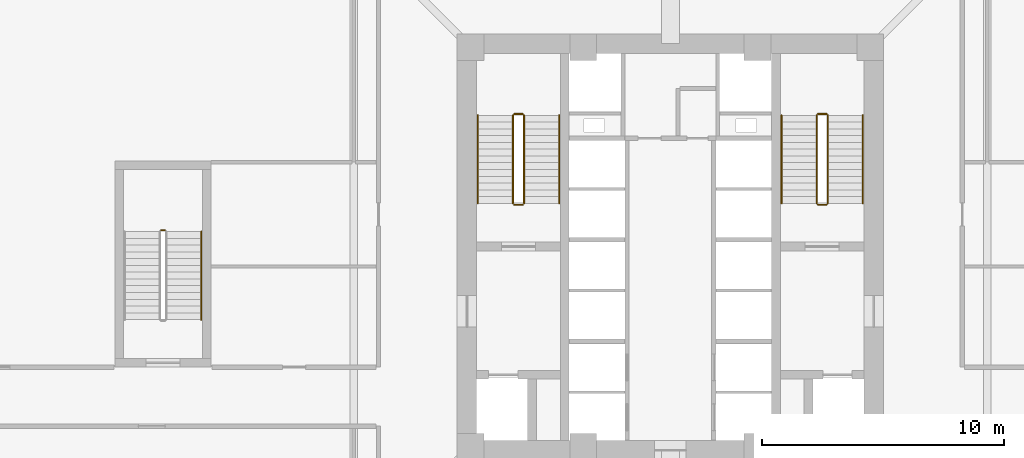
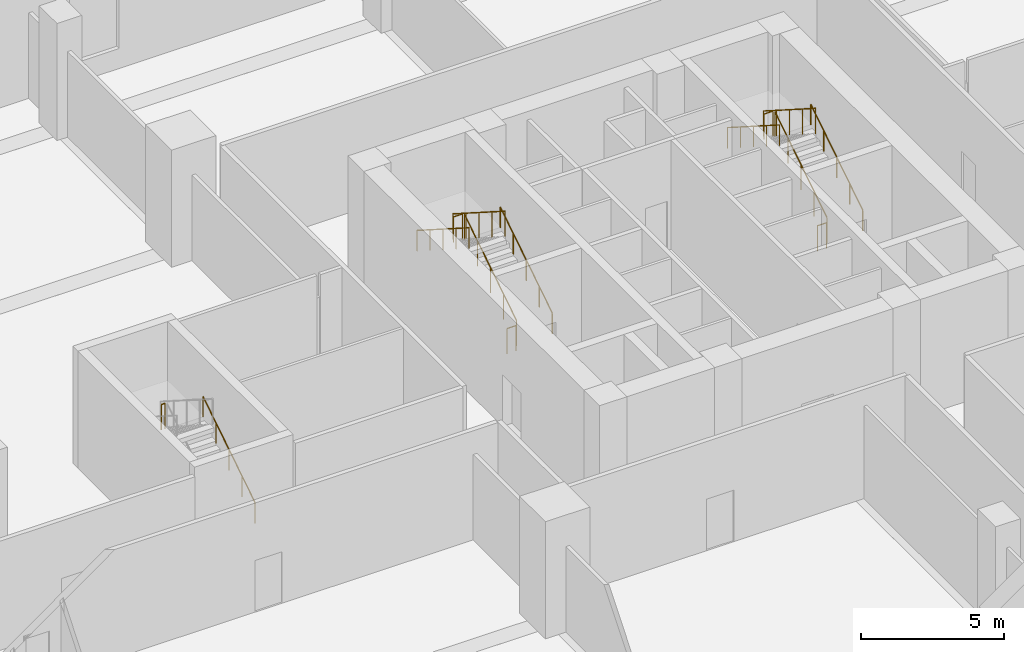
# One storey, part 12 of 14: 14 railings.
"""IFC4 building model written with IfcOpenShell, lengths in metres."""

from ifc_helpers import new_model, si_unit, direction, frame, origin, origin_2d, place, context, subcontext, project, spatial, circle, extrude, source, transform, mapped, material, type_object, element, save


model = new_model("IFC4")

# Units and contexts
model_context = context("Model", 3, precision=1e-05, world=origin(), true_north=direction((0.0, 1.0)))
body_context = subcontext(model_context, "Body", "Model", "MODEL_VIEW")
ifc_project = project(units=[si_unit("LENGTHUNIT", "METRE"), si_unit("AREAUNIT", "SQUARE_METRE"), si_unit("VOLUMEUNIT", "CUBIC_METRE"), si_unit("PLANEANGLEUNIT", "RADIAN"), si_unit("MASSUNIT", "GRAM", prefix="KILO"), si_unit("THERMODYNAMICTEMPERATUREUNIT", "KELVIN")], contexts=[model_context])

# Site, building, storey
site_placement = place(None, origin())
site = spatial("IfcSite", under=ifc_project, at=site_placement, CompositionType="ELEMENT")
building_placement = place(site_placement, origin())
building = spatial("IfcBuilding", under=site, at=building_placement, Name="Kosmvard Interchange Tower", CompositionType="ELEMENT")
storey_placement = place(building_placement, frame((0.0, 0.0, 16.0)))
storey = spatial("IfcBuildingStorey", under=building, at=storey_placement, Name="L03", CompositionType="ELEMENT", Elevation=16.0)

# Railings
ifc_material = material(Name="Steel S355", Category="steel")
railing_type_1 = type_object("IfcRailingType", Name="Stair & Terrace Safety Guardrail 1100 Steel", PredefinedType="GUARDRAIL", material=ifc_material)
shared_shape_1 = source(origin(), body_context, "Body", "SweptSolid", [
    extrude(circle(Radius=0.02392578125, at=origin_2d()), frame((0.0, 0.0, 1.076171875), z_axis=(-1.0, 0.0, 0.0), x_axis=(0.0, -1.0, 0.0)), (0.0, 0.0, 1.0), 0.35986328125),
    extrude(circle(Radius=0.02099609375, at=origin_2d()), origin(), (0.0, 0.0, 1.0), 1.052001953125),
    extrude(circle(Radius=0.02099609375, at=origin_2d()), frame((-0.35986328125, 0.0, 0.0)), (0.0, 0.0, 1.0), 1.052001953125),
])
for number, where, name in (
    (1, (-6.090087890625, 5.489990234375, 2.5), "L03 ST-1 stair guard 2"),
    (2, (-6.090087890625, 1.75, 0.0), "L03 ST-1 stair guard 4"),
    (3, (6.449951171875, 5.489990234375, 2.5), "L03 ST-2 stair guard 2"),
    (4, (6.449951171875, 1.75, 0.0), "L03 ST-2 stair guard 4"),
):
    element("IfcRailing", number, at=place(storey_placement, frame(where)), inside=storey, type_object=railing_type_1, Name=name, PredefinedType="GUARDRAIL", context=body_context, shape_type="MappedRepresentation", body=[
        mapped(shared_shape_1, transform((0.0, 0.0, 0.0), scale=1.0)),
    ])
shared_shape_2 = source(origin(), body_context, "Body", "SweptSolid", [
    extrude(circle(Radius=0.02392578125, at=origin_2d()), frame((0.0, 0.0, 1.076171875), z_axis=(0.0, 0.843111507901, 0.53773877045), x_axis=(-1.0, 0.0, 0.0)), (0.0, 0.0, 1.0), 4.317138671875),
    extrude(circle(Radius=0.02099609375, at=origin_2d()), origin(), (0.0, 0.0, 1.0), 1.052001953125),
    extrude(circle(Radius=0.02099609375, at=origin_2d()), frame((0.0, 0.909912109375, 0.580322265625)), (0.0, 0.0, 1.0), 1.052001953125),
    extrude(circle(Radius=0.02099609375, at=origin_2d()), frame((0.0, 1.81982421875, 1.16064453125)), (0.0, 0.0, 1.0), 1.052001953125),
    extrude(circle(Radius=0.02099609375, at=origin_2d()), frame((0.0, 2.72998046875, 1.7412109375)), (0.0, 0.0, 1.0), 1.052001953125),
    extrude(circle(Radius=0.02099609375, at=origin_2d()), frame((0.0, 3.639892578125, 2.321533203125)), (0.0, 0.0, 1.0), 1.052001953125),
])
for number, where, name in (
    (5, (-6.0400390625, 1.800048828125, 0.178466796875), "L03 ST-1 stair guard 1"),
    (6, (6.5, 1.800048828125, 0.178466796875), "L03 ST-2 stair guard 1"),
):
    element("IfcRailing", number, at=place(storey_placement, frame(where)), inside=storey, type_object=railing_type_1, Name=name, PredefinedType="GUARDRAIL", context=body_context, shape_type="MappedRepresentation", body=[
        mapped(shared_shape_2, transform((0.0, 0.0, 0.0), scale=1.0)),
    ])
shared_shape_3 = source(origin(), body_context, "Body", "SweptSolid", [
    extrude(circle(Radius=0.02392578125, at=origin_2d()), frame((0.0, 0.0, 1.076171875), z_axis=(0.0, -0.843111507901, 0.53773877045), x_axis=(1.0, 0.0, 0.0)), (0.0, 0.0, 1.0), 4.317138671875),
    extrude(circle(Radius=0.02099609375, at=origin_2d()), origin(), (0.0, 0.0, 1.0), 1.052001953125),
    extrude(circle(Radius=0.02099609375, at=origin_2d()), frame((0.0, -0.909912109375, 0.580322265625)), (0.0, 0.0, 1.0), 1.052001953125),
    extrude(circle(Radius=0.02099609375, at=origin_2d()), frame((0.0, -1.81982421875, 1.16064453125)), (0.0, 0.0, 1.0), 1.052001953125),
    extrude(circle(Radius=0.02099609375, at=origin_2d()), frame((0.0, -2.72998046875, 1.7412109375)), (0.0, 0.0, 1.0), 1.052001953125),
    extrude(circle(Radius=0.02099609375, at=origin_2d()), frame((0.0, -3.639892578125, 2.321533203125)), (0.0, 0.0, 1.0), 1.052001953125),
])
for number, where, name in (
    (7, (-6.5, 5.43994140625, 2.678466796875), "L03 ST-1 stair guard 3"),
    (8, (6.0400390625, 5.43994140625, 2.678466796875), "L03 ST-2 stair guard 3"),
):
    element("IfcRailing", number, at=place(storey_placement, frame(where)), inside=storey, type_object=railing_type_1, Name=name, PredefinedType="GUARDRAIL", context=body_context, shape_type="MappedRepresentation", body=[
        mapped(shared_shape_3, transform((0.0, 0.0, 0.0), scale=1.0)),
    ])
railing_type_2 = type_object("IfcRailingType", Name="Wall-Mounted Stair Handrail 900 Steel", PredefinedType="HANDRAIL", material=ifc_material)
shared_shape_4 = source(origin(), body_context, "Body", "SweptSolid", [
    extrude(circle(Radius=0.02392578125, at=origin_2d()), frame((0.0, 0.0, 0.8759765625), z_axis=(0.0, 0.843111507901, 0.53773877045), x_axis=(-1.0, 0.0, 0.0)), (0.0, 0.0, 1.0), 4.317138671875),
    extrude(circle(Radius=0.02099609375, at=origin_2d()), origin(), (0.0, 0.0, 1.0), 0.851806640625),
    extrude(circle(Radius=0.02099609375, at=origin_2d()), frame((0.0, 0.909912109375, 0.580322265625)), (0.0, 0.0, 1.0), 0.851806640625),
    extrude(circle(Radius=0.02099609375, at=origin_2d()), frame((0.0, 1.81982421875, 1.16064453125)), (0.0, 0.0, 1.0), 0.851806640625),
    extrude(circle(Radius=0.02099609375, at=origin_2d()), frame((0.0, 2.72998046875, 1.7412109375)), (0.0, 0.0, 1.0), 0.851806640625),
    extrude(circle(Radius=0.02099609375, at=origin_2d()), frame((0.0, 3.639892578125, 2.321533203125)), (0.0, 0.0, 1.0), 0.851806640625),
])
for number, where, name in (
    (9, (-4.590087890625, 1.800048828125, 0.178466796875), "L03 ST-1 stair handrail 1"),
    (10, (7.949951171875, 1.800048828125, 0.178466796875), "L03 ST-2 stair handrail 1"),
    (11, (-19.3701171875, -3.0, 0.178466796875), "L03 ST-3 stair handrail 1"),
):
    element("IfcRailing", number, at=place(storey_placement, frame(where)), inside=storey, type_object=railing_type_2, Name=name, PredefinedType="HANDRAIL", context=body_context, shape_type="MappedRepresentation", body=[
        mapped(shared_shape_4, transform((0.0, 0.0, 0.0), scale=1.0)),
    ])
shared_shape_5 = source(origin(), body_context, "Body", "SweptSolid", [
    extrude(circle(Radius=0.02392578125, at=origin_2d()), frame((0.0, 0.0, 0.8759765625), z_axis=(0.0, -0.843111507901, 0.53773877045), x_axis=(1.0, 0.0, 0.0)), (0.0, 0.0, 1.0), 4.317138671875),
    extrude(circle(Radius=0.02099609375, at=origin_2d()), origin(), (0.0, 0.0, 1.0), 0.851806640625),
    extrude(circle(Radius=0.02099609375, at=origin_2d()), frame((0.0, -0.909912109375, 0.580322265625)), (0.0, 0.0, 1.0), 0.851806640625),
    extrude(circle(Radius=0.02099609375, at=origin_2d()), frame((0.0, -1.81982421875, 1.16064453125)), (0.0, 0.0, 1.0), 0.851806640625),
    extrude(circle(Radius=0.02099609375, at=origin_2d()), frame((0.0, -2.72998046875, 1.7412109375)), (0.0, 0.0, 1.0), 0.851806640625),
    extrude(circle(Radius=0.02099609375, at=origin_2d()), frame((0.0, -3.639892578125, 2.321533203125)), (0.0, 0.0, 1.0), 0.851806640625),
])
for number, where, name in (
    (12, (-7.949951171875, 5.43994140625, 2.678466796875), "L03 ST-1 stair handrail 2"),
    (13, (4.590087890625, 5.43994140625, 2.678466796875), "L03 ST-2 stair handrail 2"),
):
    element("IfcRailing", number, at=place(storey_placement, frame(where)), inside=storey, type_object=railing_type_2, Name=name, PredefinedType="HANDRAIL", context=body_context, shape_type="MappedRepresentation", body=[
        mapped(shared_shape_5, transform((0.0, 0.0, 0.0), scale=1.0)),
    ])
shared_shape_6 = source(origin(), body_context, "Body", "SweptSolid", [
    extrude(circle(Radius=0.02392578125, at=origin_2d()), frame((0.0, 0.0, 1.076171875), z_axis=(-1.0, 0.0, 0.0), x_axis=(0.0, -1.0, 0.0)), (0.0, 0.0, 1.0), 0.159912109375),
    extrude(circle(Radius=0.02099609375, at=origin_2d()), origin(), (0.0, 0.0, 1.0), 1.052001953125),
    extrude(circle(Radius=0.02099609375, at=origin_2d()), frame((-0.159912109375, 0.0, 0.0)), (0.0, 0.0, 1.0), 1.052001953125),
])
railing_placement = place(storey_placement, frame((-20.8701171875, 0.68994140625, 2.5)))
element("IfcRailing", 14, at=railing_placement, inside=storey, type_object=railing_type_1, Name="L03 ST-3 stair guard 2", PredefinedType="GUARDRAIL", context=body_context, shape_type="MappedRepresentation", body=[
    mapped(shared_shape_6, transform((0.0, 0.0, 0.0), scale=1.0)),
])

save(model, "model.ifc")
